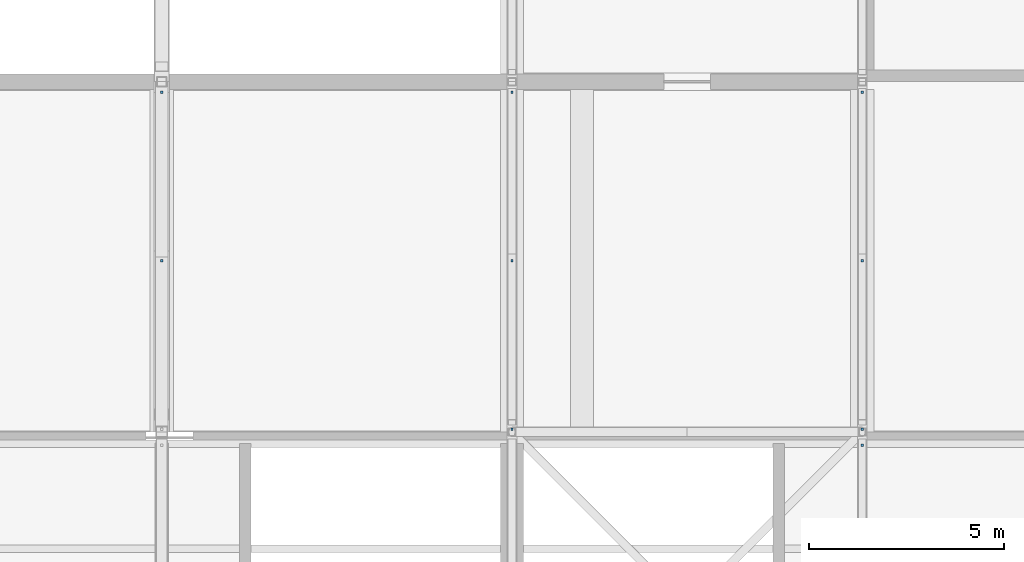
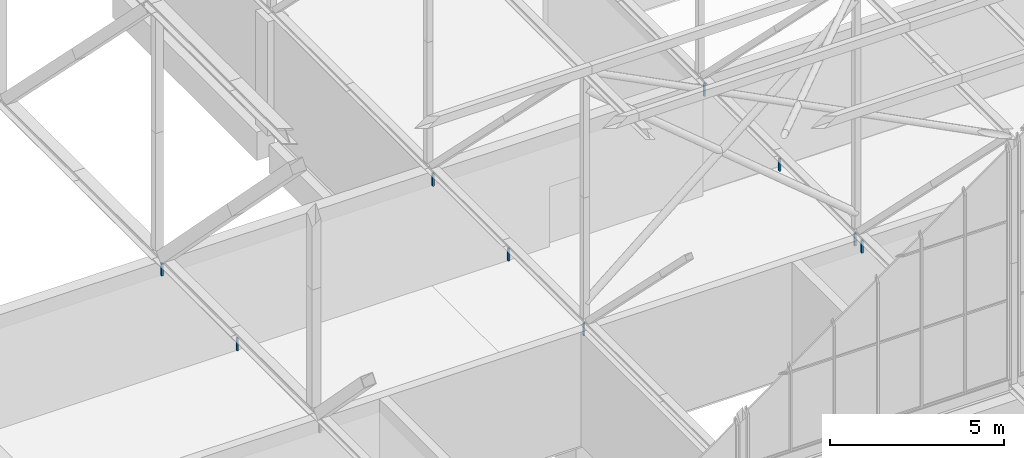
# One storey, part 192 of 646: 9 discrete accessories.
"""IFC4 building model written with IfcOpenShell, lengths in metres."""

from ifc_helpers import new_model, si_unit, direction, frame, origin, origin_2d, place, context, subcontext, project, spatial, rectangle, extrude, material, type_object, element, save


model = new_model("IFC4")

# Units and contexts
model_context = context("Model", 3, precision=1e-05, world=origin(), true_north=direction((0.0, 1.0)))
body_context = subcontext(model_context, "Body", "Model", "MODEL_VIEW")
ifc_project = project(units=[si_unit("LENGTHUNIT", "METRE"), si_unit("AREAUNIT", "SQUARE_METRE"), si_unit("VOLUMEUNIT", "CUBIC_METRE"), si_unit("PLANEANGLEUNIT", "RADIAN"), si_unit("MASSUNIT", "GRAM", prefix="KILO")], contexts=[model_context])

# Site, building, storey
site_placement = place(None, origin())
site = spatial("IfcSite", under=ifc_project, at=site_placement, CompositionType="ELEMENT")
building_placement = place(site_placement, origin())
building = spatial("IfcBuilding", under=site, at=building_placement, Name="Silverbay Arena", CompositionType="ELEMENT")
storey_placement = place(building_placement, frame((0.0, 0.0, 33.5)))
storey = spatial("IfcBuildingStorey", under=building, at=storey_placement, Name="L05", CompositionType="ELEMENT", Elevation=33.5)

# Discrete accessories
ifc_material = material(Name="Steel S355", Category="steel")
discrete_accessory_type = type_object("IfcDiscreteAccessoryType", Name="Ceiling hanger", PredefinedType="BRACKET", material=ifc_material)
for number, where, z_axis, x_axis, name in (
    (1, (153.0, 31.39990234375, 3.5498046875), (0.0, 0.0, 1.0), (1.0, 0.0, 0.0), "Ceiling hanger"),
    (2, (153.0, 35.72998046875, 3.5498046875), (0.0, 0.0, 1.0), (1.0, 0.0, 0.0), "Ceiling hanger"),
    (3, (162.0, 27.070068359375, 3.5498046875), (0.0, 0.0, 1.0), (1.0, 0.0, 0.0), "Ceiling hanger"),
    (4, (162.0, 31.39990234375, 3.5498046875), (0.0, 0.0, 1.0), (1.0, 0.0, 0.0), "Ceiling hanger"),
    (5, (162.0, 35.72998046875, 3.5498046875), (0.0, 0.0, 1.0), (1.0, 0.0, 0.0), "Ceiling hanger"),
    (6, (171.0, 27.070068359375, 3.5498046875), (0.0, 0.0, 1.0), (1.0, 0.0, 0.0), "Ceiling hanger"),
    (7, (171.0, 31.39990234375, 3.5498046875), (0.0, 0.0, 1.0), (1.0, 0.0, 0.0), "Ceiling hanger"),
    (8, (171.0, 35.72998046875, 3.5498046875), (0.0, 0.0, 1.0), (1.0, 0.0, 0.0), "Ceiling hanger"),
    (9, (171.0, 26.659912109375, 3.5498046875), (0.0, 0.0, 1.0), (1.0, 0.0, 0.0), "Ceiling hanger"),
):
    element("IfcDiscreteAccessory", number, at=place(storey_placement, frame(where, z_axis=z_axis, x_axis=x_axis)), inside=storey, type_object=discrete_accessory_type, Name=name, PredefinedType="BRACKET", context=body_context, shape_type="SweptSolid", body=[
        extrude(rectangle(XDim=0.06005859375, YDim=0.06005859375, at=origin_2d()), origin(), (0.0, 0.0, 1.0), 0.449951171875),
    ])

save(model, "model.ifc")
